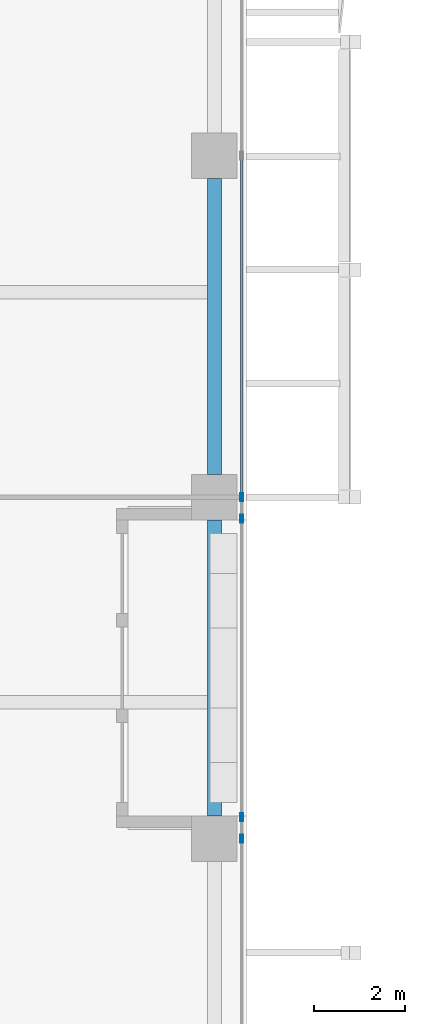
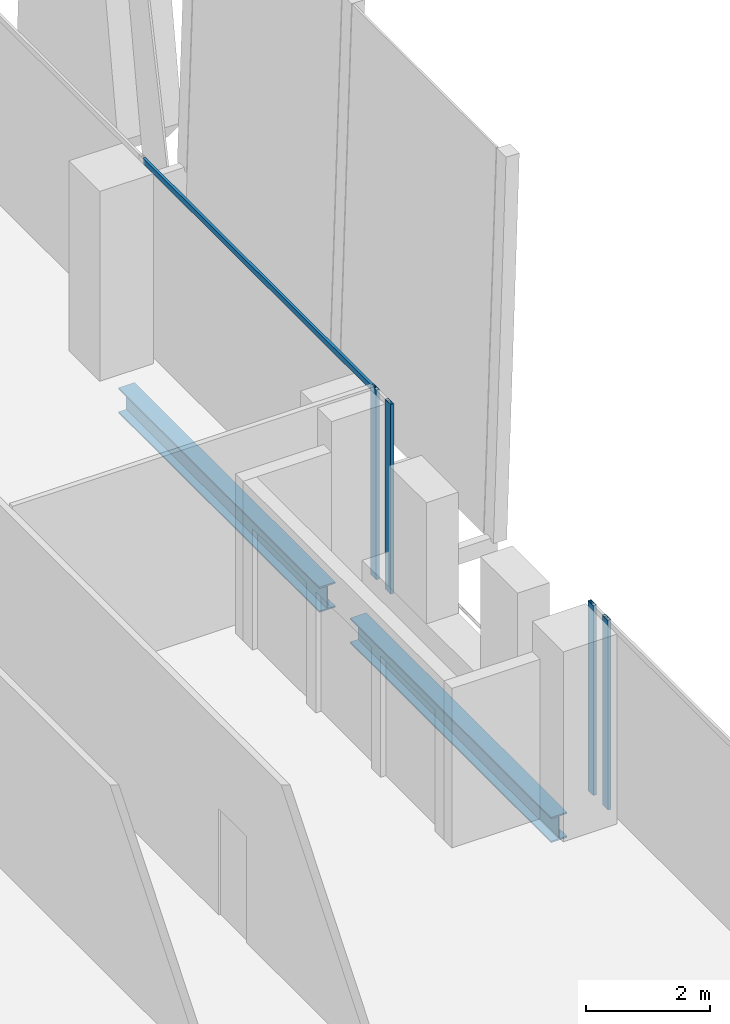
# One storey, part 13 of 35: 5 members, 2 beams, 2 elements without a shape of their own.
"""IFC4 building model written with IfcOpenShell, lengths in metres."""

from ifc_helpers import new_model, si_unit, direction, frame, origin, origin_2d, place, context, subcontext, project, spatial, hollow_rectangle, i_section, extrude, source, transform, mapped, material, material_profile, profile_set, type_object, element, aggregate, save


model = new_model("IFC4")

# Units and contexts
model_context = context("Model", 3, precision=1e-05, world=origin(), true_north=direction((0.0, 1.0)))
body_context = subcontext(model_context, "Body", "Model", "MODEL_VIEW")
ifc_project = project(units=[si_unit("LENGTHUNIT", "METRE"), si_unit("AREAUNIT", "SQUARE_METRE"), si_unit("VOLUMEUNIT", "CUBIC_METRE"), si_unit("PLANEANGLEUNIT", "RADIAN"), si_unit("MASSUNIT", "GRAM", prefix="KILO")], contexts=[model_context])

# Site, building, storey
site_placement = place(None, origin())
site = spatial("IfcSite", under=ifc_project, at=site_placement, CompositionType="ELEMENT")
building_placement = place(site_placement, origin())
building = spatial("IfcBuilding", under=site, at=building_placement, Name="Khomas Fold Tower", CompositionType="ELEMENT")
storey_placement = place(building_placement, frame((0.0, 0.0, 200.699951171875)))
storey = spatial("IfcBuildingStorey", under=building, at=storey_placement, Name="L44", CompositionType="ELEMENT", Elevation=200.699951171875)

# Beams
ifc_material_1 = material(Name="Steel S355", Category="steel")
ifc_material_profile_1 = material_profile(ifc_material_1, i_section(OverallWidth=0.300048828125, OverallDepth=0.5, WebThickness=0.014404296875, FlangeThickness=0.028076171875, at=origin_2d()), Name="HE 500 B")
ifc_profile_set_1 = profile_set([ifc_material_profile_1], Name="Steel S355")
beam_type = type_object("IfcBeamType", Name="HE 500 B spandrel SB3", PredefinedType="SPANDREL", material=ifc_profile_set_1)
shared_shape_1 = source(origin(), body_context, "Body", "SweptSolid", [
    extrude(i_section(OverallWidth=0.300048828125, OverallDepth=0.5, WebThickness=0.014404296875, FlangeThickness=0.028076171875, at=origin_2d()), origin(), (0.0, 0.0, 1.0), 6.5),
])
for number, where, z_axis, x_axis, name in (
    (1, (50.300048828125, 20.0, -0.5), (0.0, 1.0, 0.0), (-1.0, 0.0, 0.0), "SB3"),
    (2, (50.300048828125, 27.5, -0.5), (0.0, 1.0, 0.0), (-1.0, 0.0, 0.0), "SB3"),
):
    element("IfcBeam", number, at=place(storey_placement, frame(where, z_axis=z_axis, x_axis=x_axis)), inside=storey, type_object=beam_type, Name=name, PredefinedType="SPANDREL", context=body_context, shape_type="MappedRepresentation", body=[
        mapped(shared_shape_1, transform((0.0, 0.0, 0.0))),
    ])

# Curtain wall, members
ifc_material_2 = material(Name="Aluminium framed double glazing", Category="aluminium")
curtain_wall_type = type_object("IfcCurtainWallType", Name="SK-Unitised clear-glass wall, office floors CW2", PredefinedType="NOTDEFINED", material=ifc_material_2)
curtain_wall_1_placement = place(storey_placement, origin())
curtain_wall_1 = element("IfcCurtainWall", 3, at=curtain_wall_1_placement, inside=storey, type_object=curtain_wall_type, Name="CW2 run L44 03-0", PredefinedType="NOTDEFINED")
ifc_material_3 = material(Name="Aluminium", Category="aluminium")
ifc_material_profile_2 = material_profile(ifc_material_3, hollow_rectangle(XDim=0.06005859375, YDim=0.179931640625, WallThickness=0.00390625, at=origin_2d()), Name="SK-Unitised clear-glass wall, office floors mullion CW2-M")
ifc_profile_set_2 = profile_set([ifc_material_profile_2], Name="Aluminium")
member_type_1 = type_object("IfcMemberType", Name="SK-Unitised clear-glass wall, office floors mullion CW2-M", PredefinedType="MULLION", material=ifc_profile_set_2)
shared_shape_2 = source(origin(), body_context, "Body", "SweptSolid", [
    extrude(hollow_rectangle(XDim=0.06005859375, YDim=0.179931640625, WallThickness=0.00390625, at=origin_2d()), origin(), (0.0, 0.0, 1.0), 3.75),
])
member_1_placement = place(storey_placement, frame((50.89990234375, 19.5, 0.0), z_axis=(0.0, 0.0, 1.0), x_axis=(-1.0, 0.0, 0.0)))
member_1 = element("IfcMember", 4, at=member_1_placement, type_object=member_type_1, Name="CW2 mullion 4", PredefinedType="MULLION", context=body_context, shape_type="MappedRepresentation", body=[
    mapped(shared_shape_2, transform((0.0, 0.0, 0.0))),
])
member_2_placement = place(storey_placement, frame((50.89990234375, 19.969970703125, 0.0), z_axis=(0.0, 0.0, 1.0), x_axis=(-1.0, 0.0, 0.0)))
member_2 = element("IfcMember", 5, at=member_2_placement, type_object=member_type_1, Name="CW2 mullion 5", PredefinedType="MULLION", context=body_context, shape_type="MappedRepresentation", body=[
    mapped(shared_shape_2, transform((0.0, 0.0, 0.0))),
])
aggregate(curtain_wall_1, [member_1, member_2])

curtain_wall_2_placement = place(storey_placement, origin())
curtain_wall_2 = element("IfcCurtainWall", 6, at=curtain_wall_2_placement, inside=storey, type_object=curtain_wall_type, Name="CW2 run L44 03-1", PredefinedType="NOTDEFINED")
member_3_placement = place(storey_placement, frame((50.89990234375, 26.530029296875, 0.0), z_axis=(0.0, 0.0, 1.0), x_axis=(-1.0, 0.0, 0.0)))
member_3 = element("IfcMember", 7, at=member_3_placement, type_object=member_type_1, Name="CW2 mullion 1", PredefinedType="MULLION", context=body_context, shape_type="MappedRepresentation", body=[
    mapped(shared_shape_2, transform((0.0, 0.0, 0.0))),
])
member_4_placement = place(storey_placement, frame((50.89990234375, 27.0, 0.0), z_axis=(0.0, 0.0, 1.0), x_axis=(-1.0, 0.0, 0.0)))
member_4 = element("IfcMember", 8, at=member_4_placement, type_object=member_type_1, Name="CW2 mullion 2", PredefinedType="MULLION", context=body_context, shape_type="MappedRepresentation", body=[
    mapped(shared_shape_2, transform((0.0, 0.0, 0.0))),
])
ifc_material_4 = material(Name="Aluminium", Category="aluminium")
ifc_material_profile_3 = material_profile(ifc_material_4, hollow_rectangle(XDim=0.050048828125, YDim=0.110107421875, WallThickness=0.00390625, at=origin_2d()), Name="SK-Unitised clear-glass wall, office floors transom CW2-T")
ifc_profile_set_3 = profile_set([ifc_material_profile_3], Name="Aluminium")
member_type_2 = type_object("IfcMemberType", Name="SK-Unitised clear-glass wall, office floors transom CW2-T", PredefinedType="USERDEFINED", material=ifc_profile_set_3)
shared_shape_3 = source(origin(), body_context, "Body", "SweptSolid", [
    extrude(hollow_rectangle(XDim=0.050048828125, YDim=0.110107421875, WallThickness=0.00390625, at=origin_2d()), origin(), (0.0, 0.0, 1.0), 7.43994140625),
])
member_5_placement = place(storey_placement, frame((50.89990234375, 27.030029296875, 3.695068359375), z_axis=(0.0, 1.0, 0.0), x_axis=(-1.0, 0.0, 0.0)))
member_5 = element("IfcMember", 9, at=member_5_placement, type_object=member_type_2, Name="CW2 transom 2", ObjectType="TRANSOM", PredefinedType="USERDEFINED", context=body_context, shape_type="MappedRepresentation", body=[
    mapped(shared_shape_3, transform((0.0, 0.0, 0.0))),
])
aggregate(curtain_wall_2, [member_3, member_4, member_5])

save(model, "model.ifc")
